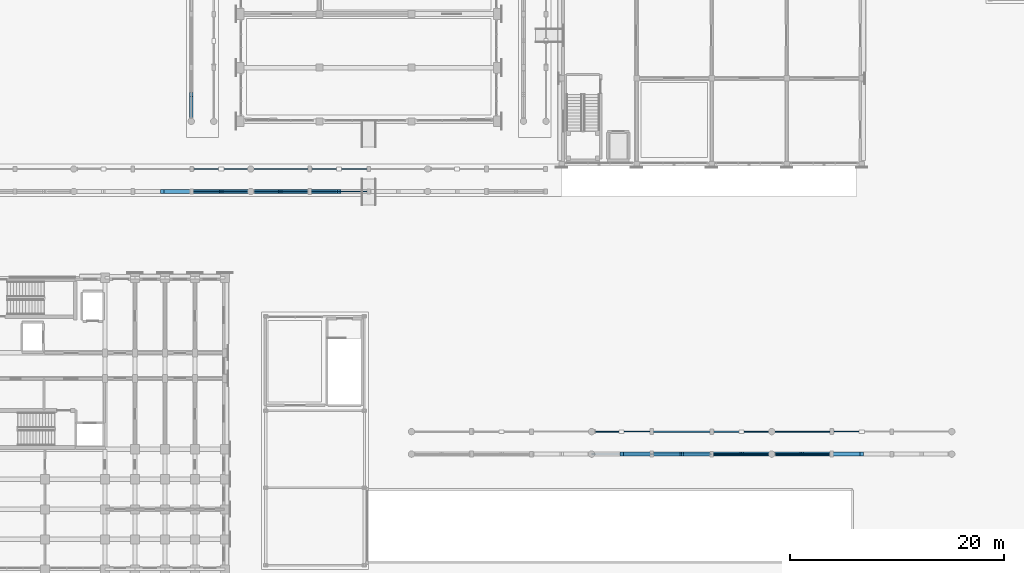
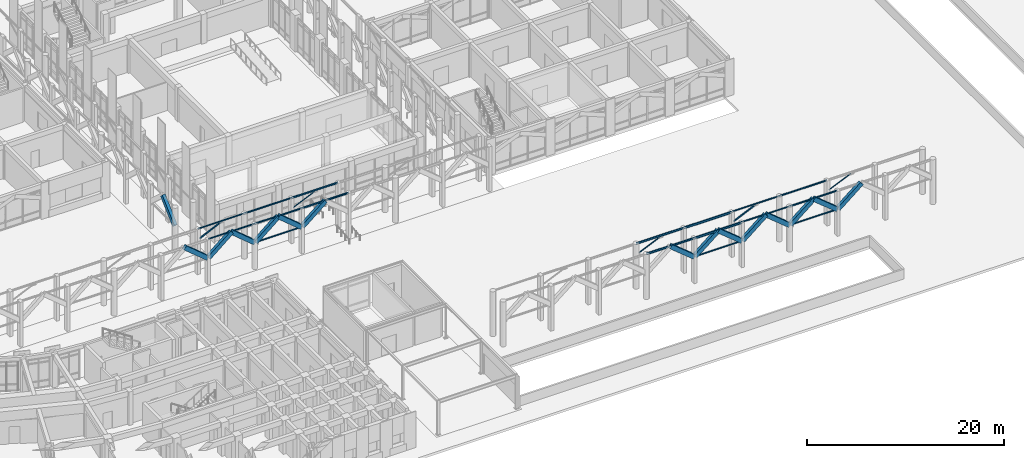
# One storey, part 26 of 135: 29 beams, 8 members.
"""IFC4 building model written with IfcOpenShell, lengths in metres."""

from ifc_helpers import new_model, si_unit, direction, frame, origin, origin_2d, place, context, subcontext, project, spatial, rectangle, hollow_rectangle, hollow_circle, i_section, extrude, material, material_profile, profile_set, type_object, element, save


model = new_model("IFC4")

# Units and contexts
model_context = context("Model", 3, precision=1e-05, world=origin(), true_north=direction((0.0, 1.0)))
body_context = subcontext(model_context, "Body", "Model", "MODEL_VIEW")
ifc_project = project(units=[si_unit("LENGTHUNIT", "METRE"), si_unit("AREAUNIT", "SQUARE_METRE"), si_unit("VOLUMEUNIT", "CUBIC_METRE"), si_unit("PLANEANGLEUNIT", "RADIAN"), si_unit("MASSUNIT", "GRAM", prefix="KILO")], contexts=[model_context])

# Site, building, storey
site_placement = place(None, origin())
site = spatial("IfcSite", under=ifc_project, at=site_placement, CompositionType="ELEMENT")
building_placement = place(site_placement, origin())
building = spatial("IfcBuilding", under=site, at=building_placement, Name="Kiranvali Square Residences", CompositionType="ELEMENT")
storey_placement = place(building_placement, origin())
storey = spatial("IfcBuildingStorey", under=building, at=storey_placement, Name="L00", CompositionType="ELEMENT", Elevation=0.0)

# Beams
ifc_material_1 = material(Name="Concrete M40 (40 MPa)", Category="concrete")
ifc_material_profile_1 = material_profile(ifc_material_1, rectangle(XDim=0.35009765625, YDim=0.5, at=origin_2d()), Name="RC 350x500")
ifc_profile_set_1 = profile_set([ifc_material_profile_1], Name="Concrete M40 (40 MPa)")
beam_type_1 = type_object("IfcBeamType", Name="AR-M40-350x500", PredefinedType="USERDEFINED", material=ifc_profile_set_1)
for number, where, z_axis, x_axis, name in (
    (1, (107.60009765625, 12.949951171875, 5.4599609375), (0.773707197962, 0.0, -0.633543346443), (0.0, 1.0, 0.0), "Classical pointed Ottoman arch rib ARCH-ARC-SQ-S-04.2"),
    (2, (110.43994140625, 12.949951171875, 3.199951171875), (0.773707197962, 0.0, 0.633543346443), (0.0, 1.0, 0.0), "Classical pointed Ottoman arch rib ARCH-ARC-SQ-S-05.1"),
    (3, (113.199951171875, 12.949951171875, 5.4599609375), (0.773707197962, 0.0, -0.633543346443), (0.0, 1.0, 0.0), "Classical pointed Ottoman arch rib ARCH-ARC-SQ-S-05.2"),
    (4, (116.0400390625, 12.949951171875, 3.199951171875), (0.773707197962, 0.0, 0.633543346443), (0.0, 1.0, 0.0), "Classical pointed Ottoman arch rib ARCH-ARC-SQ-S-06.1"),
    (5, (118.800048828125, 12.949951171875, 5.4599609375), (0.773707197962, 0.0, -0.633543346443), (0.0, 1.0, 0.0), "Classical pointed Ottoman arch rib ARCH-ARC-SQ-S-06.2"),
    (6, (121.639892578125, 12.949951171875, 3.199951171875), (0.773707197962, 0.0, 0.633543346443), (0.0, 1.0, 0.0), "Classical pointed Ottoman arch rib ARCH-ARC-SQ-S-07.1"),
    (7, (124.39990234375, 12.949951171875, 5.4599609375), (0.773707197962, 0.0, -0.633543346443), (0.0, 1.0, 0.0), "Classical pointed Ottoman arch rib ARCH-ARC-SQ-S-07.2"),
    (8, (127.239990234375, 12.949951171875, 3.199951171875), (0.773707197962, 0.0, 0.633543346443), (0.0, 1.0, 0.0), "Classical pointed Ottoman arch rib ARCH-ARC-SQ-S-08.1"),
):
    element("IfcBeam", number, at=place(storey_placement, frame(where, z_axis=z_axis, x_axis=x_axis)), inside=storey, type_object=beam_type_1, Name=name, ObjectType="ARCH RIB", PredefinedType="USERDEFINED", context=body_context, shape_type="SweptSolid", body=[
        extrude(rectangle(XDim=0.35009765625, YDim=0.5, at=origin_2d()), origin(), (0.0, 0.0, 1.0), 3.567138671875),
    ])
for number, where, z_axis, x_axis, name in (
    (9, (64.75, 37.449951171875, 5.4599609375), (0.767983039395, 0.0, -0.640470179791), (0.0, 1.0, 0.0), "Classical pointed Ottoman arch rib ARCH-ARC-GDN-S-05.2"),
    (10, (67.5400390625, 37.449951171875, 3.199951171875), (0.767983039395, 0.0, 0.640470179791), (0.0, 1.0, 0.0), "Classical pointed Ottoman arch rib ARCH-ARC-GDN-S-06.1"),
    (11, (70.25, 37.449951171875, 5.4599609375), (0.767983039395, 0.0, -0.640470179791), (0.0, 1.0, 0.0), "Classical pointed Ottoman arch rib ARCH-ARC-GDN-S-06.2"),
    (12, (73.0400390625, 37.449951171875, 3.199951171875), (0.767983039395, 0.0, 0.640470179791), (0.0, 1.0, 0.0), "Classical pointed Ottoman arch rib ARCH-ARC-GDN-S-07.1"),
    (13, (75.75, 37.449951171875, 5.4599609375), (0.767983039395, 0.0, -0.640470179791), (0.0, 1.0, 0.0), "Classical pointed Ottoman arch rib ARCH-ARC-GDN-S-07.2"),
    (14, (78.5400390625, 37.449951171875, 3.199951171875), (0.767983039395, 0.0, 0.640470179791), (0.0, 1.0, 0.0), "Classical pointed Ottoman arch rib ARCH-ARC-GDN-S-08.1"),
):
    element("IfcBeam", number, at=place(storey_placement, frame(where, z_axis=z_axis, x_axis=x_axis)), inside=storey, type_object=beam_type_1, Name=name, ObjectType="ARCH RIB", PredefinedType="USERDEFINED", context=body_context, shape_type="SweptSolid", body=[
        extrude(rectangle(XDim=0.35009765625, YDim=0.5, at=origin_2d()), origin(), (0.0, 0.0, 1.0), 3.528564453125),
    ])
beam_placement = place(storey_placement, frame((67.449951171875, 44.0400390625, 3.199951171875), z_axis=(0.0, 0.736401324674, 0.676544964521), x_axis=(-1.0, 0.0, 0.0)))
element("IfcBeam", 15, at=beam_placement, inside=storey, type_object=beam_type_1, Name="Classical pointed Ottoman arch rib ARCH-ARC-GDN-W-01.1", ObjectType="ARCH RIB", PredefinedType="USERDEFINED", context=body_context, shape_type="SweptSolid", body=[
    extrude(rectangle(XDim=0.35009765625, YDim=0.5, at=origin_2d()), origin(), (0.0, 0.0, 1.0), 3.340576171875),
])

# Members
ifc_material_2 = material(Name="Structural steel E350", Category="steel")
ifc_material_profile_2 = material_profile(ifc_material_2, hollow_circle(Radius=0.05712890625, WallThickness=0.00537109375, at=origin_2d()), Name="CHS 114.3x5.4")
ifc_profile_set_2 = profile_set([ifc_material_profile_2], Name="Structural steel E350")
member_type_1 = type_object("IfcMemberType", Name="MEM-CHS114", PredefinedType="BRACE", material=ifc_profile_set_2)
member_1_placement = place(storey_placement, frame((127.410888671875, 15.050048828125, 4.199951171875), z_axis=(0.917287190768, 0.0, 0.398226329684), x_axis=(0.0, 1.0, 0.0)))
element("IfcMember", 16, at=member_1_placement, inside=storey, type_object=member_type_1, Name="Colonnade steel knee brace ARC-SQ-S-8", PredefinedType="BRACE", context=body_context, shape_type="SweptSolid", body=[
    extrude(hollow_circle(Radius=0.05712890625, WallThickness=0.00537109375, at=origin_2d()), origin(), (0.0, 0.0, 1.0), 2.822509765625),
])
member_2_placement = place(storey_placement, frame((78.7109375, 39.550048828125, 4.199951171875), z_axis=(0.914405186406, 0.0, 0.404800142136), x_axis=(0.0, 1.0, 0.0)))
element("IfcMember", 17, at=member_2_placement, inside=storey, type_object=member_type_1, Name="Colonnade steel knee brace ARC-GDN-S-8", PredefinedType="BRACE", context=body_context, shape_type="SweptSolid", body=[
    extrude(hollow_circle(Radius=0.05712890625, WallThickness=0.00537109375, at=origin_2d()), origin(), (0.0, 0.0, 1.0), 2.77685546875),
])
ifc_material_profile_3 = material_profile(ifc_material_2, hollow_circle(Radius=0.08251953125, WallThickness=0.00537109375, at=origin_2d()), Name="CHS 165.1x5.4")
ifc_profile_set_3 = profile_set([ifc_material_profile_3], Name="Structural steel E350")
member_type_2 = type_object("IfcMemberType", Name="MEM-CHS165", PredefinedType="USERDEFINED", material=ifc_profile_set_3)
member_3_placement = place(storey_placement, frame((110.59912109375, 12.949951171875, 3.14990234375), z_axis=(1.0, 0.0, 0.0), x_axis=(0.0, 1.0, 0.0)))
element("IfcMember", 18, at=member_3_placement, inside=storey, type_object=member_type_2, Name="Ottoman arch springing tie rod ARC-SQ-S-5", ObjectType="TIE ROD", PredefinedType="USERDEFINED", context=body_context, shape_type="SweptSolid", body=[
    extrude(hollow_circle(Radius=0.08251953125, WallThickness=0.00537109375, at=origin_2d()), origin(), (0.0, 0.0, 1.0), 5.201904296875),
])
member_4_placement = place(storey_placement, frame((121.924072265625, 12.949951171875, 3.14990234375), z_axis=(1.0, 0.0, 0.0), x_axis=(0.0, 1.0, 0.0)))
element("IfcMember", 19, at=member_4_placement, inside=storey, type_object=member_type_2, Name="Ottoman arch springing tie rod ARC-SQ-S-7", ObjectType="TIE ROD", PredefinedType="USERDEFINED", context=body_context, shape_type="SweptSolid", body=[
    extrude(hollow_circle(Radius=0.08251953125, WallThickness=0.00537109375, at=origin_2d()), origin(), (0.0, 0.0, 1.0), 5.076904296875),
])
member_5_placement = place(storey_placement, frame((73.323974609375, 37.449951171875, 3.14990234375), z_axis=(1.0, 0.0, 0.0), x_axis=(0.0, 1.0, 0.0)))
element("IfcMember", 20, at=member_5_placement, inside=storey, type_object=member_type_2, Name="Ottoman arch springing tie rod ARC-GDN-S-7", ObjectType="TIE ROD", PredefinedType="USERDEFINED", context=body_context, shape_type="SweptSolid", body=[
    extrude(hollow_circle(Radius=0.08251953125, WallThickness=0.00537109375, at=origin_2d()), origin(), (0.0, 0.0, 1.0), 4.97705078125),
])
ifc_material_profile_4 = material_profile(ifc_material_2, hollow_rectangle(XDim=0.132080078125, YDim=0.132080078125, WallThickness=0.00537109375, at=origin_2d()), Name="SHS 132x132x5.4")
ifc_profile_set_4 = profile_set([ifc_material_profile_4], Name="Structural steel E350")
member_type_3 = type_object("IfcMemberType", Name="MEM-SHS132", PredefinedType="BRACE", material=ifc_profile_set_4)
member_6_placement = place(storey_placement, frame((116.2109375, 15.050048828125, 4.199951171875), z_axis=(0.910736682076, 0.0, 0.41298752514), x_axis=(0.0, 1.0, 0.0)))
element("IfcMember", 21, at=member_6_placement, inside=storey, type_object=member_type_3, Name="Colonnade steel knee brace ARC-SQ-S-6", PredefinedType="BRACE", context=body_context, shape_type="SweptSolid", body=[
    extrude(hollow_rectangle(XDim=0.132080078125, YDim=0.132080078125, WallThickness=0.00537109375, at=origin_2d()), origin(), (0.0, 0.0, 1.0), 2.8427734375),
])
member_7_placement = place(storey_placement, frame((67.7109375, 39.550048828125, 4.199951171875), z_axis=(0.907660289841, 0.0, 0.419705609024), x_axis=(0.0, 1.0, 0.0)))
element("IfcMember", 22, at=member_7_placement, inside=storey, type_object=member_type_3, Name="Colonnade steel knee brace ARC-GDN-S-6", PredefinedType="BRACE", context=body_context, shape_type="SweptSolid", body=[
    extrude(hollow_rectangle(XDim=0.132080078125, YDim=0.132080078125, WallThickness=0.00537109375, at=origin_2d()), origin(), (0.0, 0.0, 1.0), 2.79736328125),
])
ifc_material_profile_5 = material_profile(ifc_material_2, hollow_rectangle(XDim=0.091552734375, YDim=0.091552734375, WallThickness=0.00439453125, at=origin_2d()), Name="SHS 91.5x91.5x4.5")
ifc_profile_set_5 = profile_set([ifc_material_profile_5], Name="Structural steel E350")
member_type_4 = type_object("IfcMemberType", Name="MEM-SHS91", PredefinedType="BRACE", material=ifc_profile_set_5)
member_8_placement = place(storey_placement, frame((105.135986328125, 15.050048828125, 4.199951171875), z_axis=(0.913265950365, 0.0, 0.407363847076), x_axis=(0.0, 1.0, 0.0)))
element("IfcMember", 23, at=member_8_placement, inside=storey, type_object=member_type_4, Name="Colonnade steel knee brace ARC-SQ-S-4", PredefinedType="BRACE", context=body_context, shape_type="SweptSolid", body=[
    extrude(hollow_rectangle(XDim=0.091552734375, YDim=0.091552734375, WallThickness=0.00439453125, at=origin_2d()), origin(), (0.0, 0.0, 1.0), 2.6982421875),
])

# Beams
ifc_material_profile_6 = material_profile(ifc_material_2, i_section(OverallWidth=0.074951171875, OverallDepth=0.14990234375, WebThickness=0.0048828125, FlangeThickness=0.008056640625, at=origin_2d()), Name="ISMB 150")
ifc_profile_set_6 = profile_set([ifc_material_profile_6], Name="Structural steel E350")
beam_type_2 = type_object("IfcBeamType", Name="SBM-ISMB150", PredefinedType="JOIST", material=ifc_profile_set_6)
for number, where, z_axis, x_axis, name in (
    (24, (116.0, 12.949951171875, 5.485107421875), (1.0, 0.0, 0.0), (0.0, 1.0, 0.0), "Colonnade entablature steel beam ARC-SQ-S-6"),
    (25, (116.0, 15.050048828125, 5.485107421875), (1.0, 0.0, 0.0), (0.0, 1.0, 0.0), "Colonnade inner entablature steel beam ARC-SQ-S-6B"),
):
    element("IfcBeam", number, at=place(storey_placement, frame(where, z_axis=z_axis, x_axis=x_axis)), inside=storey, type_object=beam_type_2, Name=name, PredefinedType="JOIST", context=body_context, shape_type="SweptSolid", body=[
        extrude(i_section(OverallWidth=0.074951171875, OverallDepth=0.14990234375, WebThickness=0.0048828125, FlangeThickness=0.008056640625, at=origin_2d()), origin(), (0.0, 0.0, 1.0), 5.60009765625),
    ])
for number, where, z_axis, x_axis, name in (
    (26, (67.5, 37.449951171875, 5.485107421875), (1.0, 0.0, 0.0), (0.0, 1.0, 0.0), "Colonnade entablature steel beam ARC-GDN-S-6"),
    (27, (67.5, 39.550048828125, 5.485107421875), (1.0, 0.0, 0.0), (0.0, 1.0, 0.0), "Colonnade inner entablature steel beam ARC-GDN-S-6B"),
):
    element("IfcBeam", number, at=place(storey_placement, frame(where, z_axis=z_axis, x_axis=x_axis)), inside=storey, type_object=beam_type_2, Name=name, PredefinedType="JOIST", context=body_context, shape_type="SweptSolid", body=[
        extrude(i_section(OverallWidth=0.074951171875, OverallDepth=0.14990234375, WebThickness=0.0048828125, FlangeThickness=0.008056640625, at=origin_2d()), origin(), (0.0, 0.0, 1.0), 5.5),
    ])
ifc_material_profile_7 = material_profile(ifc_material_2, i_section(OverallWidth=0.0849609375, OverallDepth=0.175048828125, WebThickness=0.005859375, FlangeThickness=0.009033203125, at=origin_2d()), Name="ISMB 175")
ifc_profile_set_7 = profile_set([ifc_material_profile_7], Name="Structural steel E350")
beam_type_3 = type_object("IfcBeamType", Name="SBM-ISMB175", PredefinedType="JOIST", material=ifc_profile_set_7)
for number, where, z_axis, x_axis, name in (
    (28, (121.60009765625, 12.949951171875, 5.472412109375), (1.0, 0.0, 0.0), (0.0, 1.0, 0.0), "Colonnade entablature steel beam ARC-SQ-S-7"),
    (29, (121.60009765625, 15.050048828125, 5.472412109375), (1.0, 0.0, 0.0), (0.0, 1.0, 0.0), "Colonnade inner entablature steel beam ARC-SQ-S-7B"),
):
    element("IfcBeam", number, at=place(storey_placement, frame(where, z_axis=z_axis, x_axis=x_axis)), inside=storey, type_object=beam_type_3, Name=name, PredefinedType="JOIST", context=body_context, shape_type="SweptSolid", body=[
        extrude(i_section(OverallWidth=0.0849609375, OverallDepth=0.175048828125, WebThickness=0.005859375, FlangeThickness=0.009033203125, at=origin_2d()), origin(), (0.0, 0.0, 1.0), 5.599853515625),
    ])
for number, where, z_axis, x_axis, name in (
    (30, (73.0, 37.449951171875, 5.472412109375), (1.0, 0.0, 0.0), (0.0, 1.0, 0.0), "Colonnade entablature steel beam ARC-GDN-S-7"),
    (31, (73.0, 39.550048828125, 5.472412109375), (1.0, 0.0, 0.0), (0.0, 1.0, 0.0), "Colonnade inner entablature steel beam ARC-GDN-S-7B"),
):
    element("IfcBeam", number, at=place(storey_placement, frame(where, z_axis=z_axis, x_axis=x_axis)), inside=storey, type_object=beam_type_3, Name=name, PredefinedType="JOIST", context=body_context, shape_type="SweptSolid", body=[
        extrude(i_section(OverallWidth=0.0849609375, OverallDepth=0.175048828125, WebThickness=0.005859375, FlangeThickness=0.009033203125, at=origin_2d()), origin(), (0.0, 0.0, 1.0), 5.5),
    ])
ifc_material_profile_8 = material_profile(ifc_material_2, i_section(OverallWidth=0.10009765625, OverallDepth=0.199951171875, WebThickness=0.005615234375, FlangeThickness=0.0107421875, at=origin_2d()), Name="ISMB 200")
ifc_profile_set_8 = profile_set([ifc_material_profile_8], Name="Structural steel E350")
beam_type_4 = type_object("IfcBeamType", Name="SBM-ISMB200", PredefinedType="JOIST", material=ifc_profile_set_8)
for number, where, z_axis, x_axis, name in (
    (32, (78.5, 37.449951171875, 5.4599609375), (1.0, 0.0, 0.0), (0.0, 1.0, 0.0), "Colonnade entablature steel beam ARC-GDN-S-8"),
    (33, (78.5, 39.550048828125, 5.4599609375), (1.0, 0.0, 0.0), (0.0, 1.0, 0.0), "Colonnade inner entablature steel beam ARC-GDN-S-8B"),
):
    element("IfcBeam", number, at=place(storey_placement, frame(where, z_axis=z_axis, x_axis=x_axis)), inside=storey, type_object=beam_type_4, Name=name, PredefinedType="JOIST", context=body_context, shape_type="SweptSolid", body=[
        extrude(i_section(OverallWidth=0.10009765625, OverallDepth=0.199951171875, WebThickness=0.005615234375, FlangeThickness=0.0107421875, at=origin_2d()), origin(), (0.0, 0.0, 1.0), 5.5),
    ])
ifc_material_profile_9 = material_profile(ifc_material_2, i_section(OverallWidth=0.110107421875, OverallDepth=0.22509765625, WebThickness=0.006591796875, FlangeThickness=0.01171875, at=origin_2d()), Name="ISMB 225")
ifc_profile_set_9 = profile_set([ifc_material_profile_9], Name="Structural steel E350")
beam_type_5 = type_object("IfcBeamType", Name="SBM-ISMB225", PredefinedType="JOIST", material=ifc_profile_set_9)
for number, where, z_axis, x_axis, name in (
    (34, (104.800048828125, 12.949951171875, 5.447509765625), (1.0, 0.0, 0.0), (0.0, 1.0, 0.0), "Colonnade entablature steel beam ARC-SQ-S-4"),
    (35, (104.800048828125, 15.050048828125, 5.447509765625), (1.0, 0.0, 0.0), (0.0, 1.0, 0.0), "Colonnade inner entablature steel beam ARC-SQ-S-4B"),
):
    element("IfcBeam", number, at=place(storey_placement, frame(where, z_axis=z_axis, x_axis=x_axis)), inside=storey, type_object=beam_type_5, Name=name, PredefinedType="JOIST", context=body_context, shape_type="SweptSolid", body=[
        extrude(i_section(OverallWidth=0.110107421875, OverallDepth=0.22509765625, WebThickness=0.006591796875, FlangeThickness=0.01171875, at=origin_2d()), origin(), (0.0, 0.0, 1.0), 5.599853515625),
    ])
ifc_material_profile_10 = material_profile(ifc_material_2, i_section(OverallWidth=0.125, OverallDepth=0.25, WebThickness=0.0068359375, FlangeThickness=0.012451171875, at=origin_2d()), Name="ISMB 250")
ifc_profile_set_10 = profile_set([ifc_material_profile_10], Name="Structural steel E350")
beam_type_6 = type_object("IfcBeamType", Name="SBM-ISMB250", PredefinedType="JOIST", material=ifc_profile_set_10)
for number, where, z_axis, x_axis, name in (
    (36, (110.39990234375, 12.949951171875, 5.43505859375), (1.0, 0.0, 0.0), (0.0, 1.0, 0.0), "Colonnade entablature steel beam ARC-SQ-S-5"),
    (37, (110.39990234375, 15.050048828125, 5.43505859375), (1.0, 0.0, 0.0), (0.0, 1.0, 0.0), "Colonnade inner entablature steel beam ARC-SQ-S-5B"),
):
    element("IfcBeam", number, at=place(storey_placement, frame(where, z_axis=z_axis, x_axis=x_axis)), inside=storey, type_object=beam_type_6, Name=name, PredefinedType="JOIST", context=body_context, shape_type="SweptSolid", body=[
        extrude(i_section(OverallWidth=0.125, OverallDepth=0.25, WebThickness=0.0068359375, FlangeThickness=0.012451171875, at=origin_2d()), origin(), (0.0, 0.0, 1.0), 5.60009765625),
    ])

save(model, "model.ifc")
